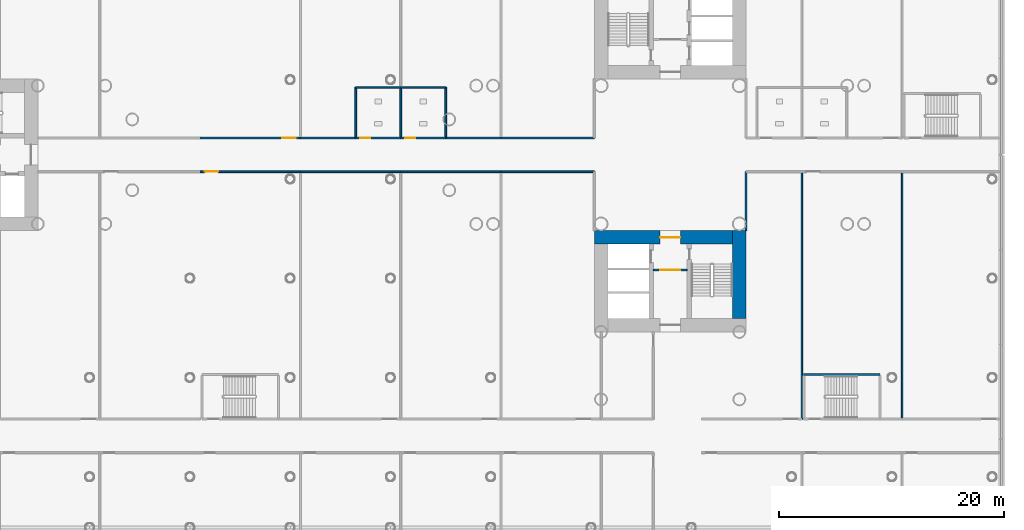
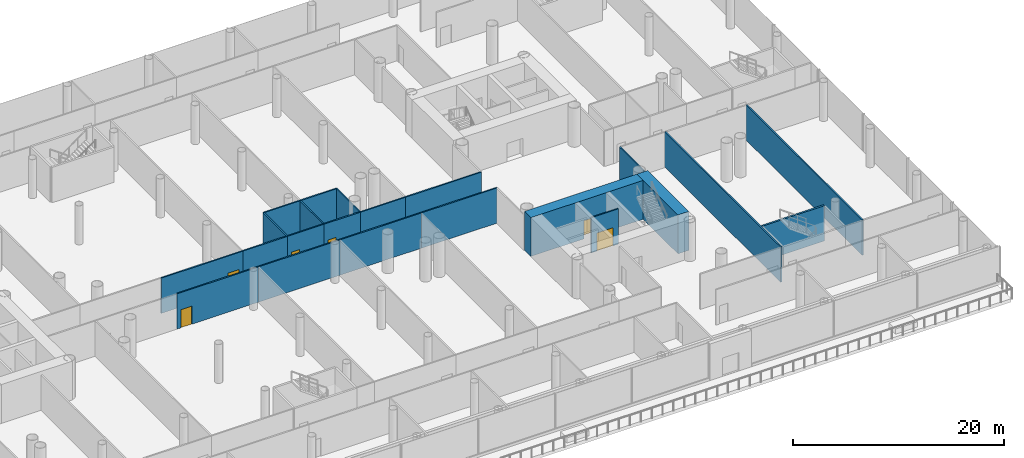
# One storey, part 21 of 51: 22 walls, 6 doors, 6 openings.
"""IFC4 building model written with IfcOpenShell, lengths in metres."""

from ifc_helpers import new_model, si_unit, direction, frame, frame_2d, origin, place, context, subcontext, project, spatial, rectangle, extrude, material, layer, layer_set, type_object, element, fill, save


model = new_model("IFC4")

# Units and contexts
model_context = context("Model", 3, precision=1e-05, world=origin(), true_north=direction((0.0, 1.0)))
body_context = subcontext(model_context, "Body", "Model", "MODEL_VIEW")
ifc_project = project(units=[si_unit("LENGTHUNIT", "METRE"), si_unit("AREAUNIT", "SQUARE_METRE"), si_unit("VOLUMEUNIT", "CUBIC_METRE"), si_unit("PLANEANGLEUNIT", "RADIAN"), si_unit("MASSUNIT", "GRAM", prefix="KILO")], contexts=[model_context])

# Site, building, storey
site_placement = place(None, origin())
site = spatial("IfcSite", under=ifc_project, at=site_placement, CompositionType="ELEMENT")
building_placement = place(site_placement, origin())
building = spatial("IfcBuilding", under=site, at=building_placement, Name="Ipe Terrace Towers", CompositionType="ELEMENT")
storey_placement = place(building_placement, frame((0.0, 0.0, 15.5)))
storey = spatial("IfcBuildingStorey", under=building, at=storey_placement, Name="L03", CompositionType="ELEMENT", Elevation=15.5)

# Wall, opening, door
ifc_material_1 = material(Name="Gypsum board partition", Category="plasterboard")
ifc_layer_1 = layer(ifc_material_1, 0.14990234375)
ifc_layer_set_1 = layer_set([ifc_layer_1], Name="Gypsum board partition 150 mm")
wall_type_1 = type_object("IfcWallType", Name="Gypsum board partition 150 mm", PredefinedType="PARTITIONING", material=ifc_layer_set_1)
wall_1_placement = place(storey_placement, frame((34.5, -10.25, 0.0), z_axis=(0.0, 0.0, 1.0), x_axis=(1.0, 0.0, 0.0)))
wall_1 = element("IfcWall", 1, at=wall_1_placement, inside=storey, type_object=wall_type_1, Name="Gypsum board partition T2 L03 t2c2-lobby-wall", PredefinedType="PARTITIONING", context=body_context, shape_type="SweptSolid", body=[
    extrude(rectangle(XDim=3.0, YDim=0.14990234375, at=frame_2d((1.5, 0.0))), origin(), (0.0, 0.0, 1.0), 4.080078125),
])
opening_1_placement = place(wall_1_placement, frame((0.60009765625, 0.0, 0.0)))
opening_1 = element("IfcOpeningElement", 2, at=opening_1_placement, cuts=wall_1, Name="Opening T2C2-VD", PredefinedType="OPENING", context=body_context, shape_type="SweptSolid", body=[
    extrude(rectangle(XDim=1.800048828125, YDim=2.10009765625, at=frame_2d((0.89990234375, 1.050048828125))), frame((0.0, 0.0849609375, 0.0), z_axis=(0.0, -1.0, 0.0), x_axis=(1.0, 0.0, 0.0)), (0.0, 0.0, 1.0), 0.169921875),
])
ifc_material_2 = material(Name="Fire-rated timber door leaf", Category="wood")
door_type_1 = type_object("IfcDoorType", Name="Lobby door 1800 x 2100 FD60", OperationType="NOTDEFINED", PredefinedType="DOOR", material=ifc_material_2)
door_1_placement = place(opening_1_placement, origin())
door_1 = element("IfcDoor", 3, at=door_1_placement, inside=storey, type_object=door_type_1, Name="Lobby door T2C2-VD", OperationType="SINGLE_SWING_LEFT", OverallHeight=2.10009765625, OverallWidth=1.800048828125, PredefinedType="DOOR", context=body_context, shape_type="SweptSolid", body=[
    extrude(rectangle(XDim=1.800048828125, YDim=2.10009765625, at=frame_2d((0.89990234375, 1.050048828125))), frame((0.0, 0.02490234375, 0.0), z_axis=(0.0, -1.0, 0.0), x_axis=(1.0, 0.0, 0.0)), (0.0, 0.0, 1.0), 0.050048828125),
])
fill(opening_1, door_1)

wall_2_placement = place(storey_placement, frame((-5.81005859375, -1.5, 0.0), z_axis=(0.0, 0.0, 1.0), x_axis=(1.0, 0.0, 0.0)))
wall_2 = element("IfcWall", 4, at=wall_2_placement, inside=storey, type_object=wall_type_1, Name="Gypsum board partition T2 L03 pd-r30-w4", PredefinedType="PARTITIONING", context=body_context, shape_type="SweptSolid", body=[
    extrude(rectangle(XDim=8.920166015625, YDim=0.14990234375, at=frame_2d((4.4599609375, 0.0))), origin(), (0.0, 0.0, 1.0), 4.080078125),
])
opening_2_placement = place(wall_2_placement, frame((0.39990234375, 0.0, 0.0)))
opening_2 = element("IfcOpeningElement", 5, at=opening_2_placement, cuts=wall_2, Name="Opening PD-L03-r30", PredefinedType="OPENING", context=body_context, shape_type="SweptSolid", body=[
    extrude(rectangle(XDim=1.199951171875, YDim=2.10009765625, at=frame_2d((0.60009765625, 1.050048828125))), frame((0.0, 0.0849609375, 0.0), z_axis=(0.0, -1.0, 0.0), x_axis=(1.0, 0.0, 0.0)), (0.0, 0.0, 1.0), 0.169921875),
])
ifc_material_3 = material(Name="Fire-rated timber door leaf", Category="wood")
door_type_2 = type_object("IfcDoorType", Name="Lounge door 1200 x 2100 FD30S", OperationType="NOTDEFINED", PredefinedType="DOOR", material=ifc_material_3)
door_2_placement = place(opening_2_placement, origin())
door_2 = element("IfcDoor", 6, at=door_2_placement, inside=storey, type_object=door_type_2, Name="Lounge door PD-L03-r30", OperationType="SINGLE_SWING_RIGHT", OverallHeight=2.10009765625, OverallWidth=1.199951171875, PredefinedType="DOOR", context=body_context, shape_type="SweptSolid", body=[
    extrude(rectangle(XDim=1.199951171875, YDim=2.10009765625, at=frame_2d((0.60009765625, 1.050048828125))), frame((0.0, 0.02490234375, 0.0), z_axis=(0.0, -1.0, 0.0), x_axis=(1.0, 0.0, 0.0)), (0.0, 0.0, 1.0), 0.050048828125),
])
fill(opening_2, door_2)

wall_3_placement = place(storey_placement, frame((3.110107421875, 1.5, 0.0), z_axis=(0.0, 0.0, 1.0), x_axis=(-1.0, 0.0, 0.0)))
wall_3 = element("IfcWall", 7, at=wall_3_placement, inside=storey, type_object=wall_type_1, Name="Gypsum board partition T2 L03 pd-r31-w8", PredefinedType="PARTITIONING", context=body_context, shape_type="SweptSolid", body=[
    extrude(rectangle(XDim=8.920166015625, YDim=0.14990234375, at=frame_2d((4.4599609375, 0.0))), origin(), (0.0, 0.0, 1.0), 4.080078125),
])
opening_3_placement = place(wall_3_placement, frame((0.39990234375, 0.0, 0.0)))
opening_3 = element("IfcOpeningElement", 8, at=opening_3_placement, cuts=wall_3, Name="Opening PD-L03-r31", PredefinedType="OPENING", context=body_context, shape_type="SweptSolid", body=[
    extrude(rectangle(XDim=1.199951171875, YDim=2.10009765625, at=frame_2d((0.60009765625, 1.050048828125))), frame((0.0, 0.0849609375, 0.0), z_axis=(0.0, -1.0, 0.0), x_axis=(1.0, 0.0, 0.0)), (0.0, 0.0, 1.0), 0.169921875),
])
door_3_placement = place(opening_3_placement, origin())
door_3 = element("IfcDoor", 9, at=door_3_placement, inside=storey, type_object=door_type_2, Name="Lounge door PD-L03-r31", OperationType="SINGLE_SWING_RIGHT", OverallHeight=2.10009765625, OverallWidth=1.199951171875, PredefinedType="DOOR", context=body_context, shape_type="SweptSolid", body=[
    extrude(rectangle(XDim=1.199951171875, YDim=2.10009765625, at=frame_2d((0.60009765625, 1.050048828125))), frame((0.0, 0.02490234375, 0.0), z_axis=(0.0, -1.0, 0.0), x_axis=(1.0, 0.0, 0.0)), (0.0, 0.0, 1.0), 0.050048828125),
])
fill(opening_3, door_3)

# Walls
wall_4_placement = place(storey_placement, frame((8.030029296875, 1.5, 0.0), z_axis=(0.0, 0.0, 1.0), x_axis=(-1.0, 0.0, 0.0)))
element("IfcWall", 10, at=wall_4_placement, inside=storey, type_object=wall_type_1, Name="Gypsum board partition T2 L03 pd-r32-w10", PredefinedType="PARTITIONING", context=body_context, shape_type="SweptSolid", body=[
    extrude(rectangle(XDim=4.919921875, YDim=0.14990234375, at=frame_2d((2.4599609375, 0.0))), origin(), (0.0, 0.0, 1.0), 4.080078125),
])
for number, where, z_axis, x_axis, name in (
    (11, (3.110107421875, -1.5, 0.0), (0.0, 0.0, 1.0), (1.0, 0.0, 0.0), "Gypsum board partition T2 L03 pd-r34-w16"),
    (12, (12.030029296875, -1.5, 0.0), (0.0, 0.0, 1.0), (1.0, 0.0, 0.0), "Gypsum board partition T2 L03 pd-r37-w23"),
):
    element("IfcWall", number, at=place(storey_placement, frame(where, z_axis=z_axis, x_axis=x_axis)), inside=storey, type_object=wall_type_1, Name=name, PredefinedType="PARTITIONING", context=body_context, shape_type="SweptSolid", body=[
        extrude(rectangle(XDim=8.919921875, YDim=0.14990234375, at=frame_2d((4.4599609375, 0.0))), origin(), (0.0, 0.0, 1.0), 4.080078125),
    ])
wall_5_placement = place(storey_placement, frame((20.949951171875, 1.5, 0.0), z_axis=(0.0, 0.0, 1.0), x_axis=(-1.0, 0.0, 0.0)))
element("IfcWall", 13, at=wall_5_placement, inside=storey, type_object=wall_type_1, Name="Gypsum board partition T2 L03 pd-r39-w28", PredefinedType="PARTITIONING", context=body_context, shape_type="SweptSolid", body=[
    extrude(rectangle(XDim=4.919921875, YDim=0.14990234375, at=frame_2d((2.4599609375, 0.0))), origin(), (0.0, 0.0, 1.0), 4.080078125),
])
for number, where, z_axis, x_axis, name in (
    (14, (20.949951171875, -1.5, 0.0), (0.0, 0.0, 1.0), (1.0, 0.0, 0.0), "Gypsum board partition T2 L03 pd-r40-w32"),
    (15, (29.25, 1.5, 0.0), (0.0, 0.0, 1.0), (-1.0, 0.0, 0.0), "Gypsum board partition T2 L03 pd-r41-w36"),
):
    element("IfcWall", number, at=place(storey_placement, frame(where, z_axis=z_axis, x_axis=x_axis)), inside=storey, type_object=wall_type_1, Name=name, PredefinedType="PARTITIONING", context=body_context, shape_type="SweptSolid", body=[
        extrude(rectangle(XDim=8.300048828125, YDim=0.14990234375, at=frame_2d((4.14990234375, 0.0))), origin(), (0.0, 0.0, 1.0), 4.080078125),
    ])
wall_6_placement = place(storey_placement, frame((42.75, -6.75, 0.0), z_axis=(0.0, 0.0, 1.0), x_axis=(0.0, 1.0, 0.0)))
element("IfcWall", 16, at=wall_6_placement, inside=storey, type_object=wall_type_1, Name="Gypsum board partition T2 L03 pd-r50-w55", PredefinedType="PARTITIONING", context=body_context, shape_type="SweptSolid", body=[
    extrude(rectangle(XDim=5.25, YDim=0.14990234375, at=frame_2d((2.625, 0.0))), origin(), (0.0, 0.0, 1.0), 4.080078125),
])
for number, where, z_axis, x_axis, name in (
    (17, (47.7099609375, -1.5, 0.0), (0.0, 0.0, 1.0), (0.0, -1.0, 0.0), "Gypsum board partition T2 L03 pd-r50-r53-w58"),
    (18, (56.6298828125, -1.5, 0.0), (0.0, 0.0, 1.0), (0.0, -1.0, 0.0), "Gypsum board partition T2 L03 pd-r53-r56-w65"),
):
    element("IfcWall", number, at=place(storey_placement, frame(where, z_axis=z_axis, x_axis=x_axis)), inside=storey, type_object=wall_type_1, Name=name, PredefinedType="PARTITIONING", context=body_context, shape_type="SweptSolid", body=[
        extrude(rectangle(XDim=22.0, YDim=0.14990234375, at=frame_2d((11.0, 0.0))), origin(), (0.0, 0.0, 1.0), 4.080078125),
    ])

# Wall, opening, door
wall_7_placement = place(storey_placement, frame((8.030029296875, 1.5, 0.0), z_axis=(0.0, 0.0, 1.0), x_axis=(1.0, 0.0, 0.0)))
wall_7 = element("IfcWall", 19, at=wall_7_placement, inside=storey, type_object=wall_type_1, Name="Gypsum board partition T2 L03 pd-c1-w75", PredefinedType="PARTITIONING", context=body_context, shape_type="SweptSolid", body=[
    extrude(rectangle(XDim=4.0, YDim=0.14990234375, at=frame_2d((2.0, 0.0))), origin(), (0.0, 0.0, 1.0), 4.080078125),
])
opening_4_placement = place(wall_7_placement, frame((0.39990234375, 0.0, 0.0)))
opening_4 = element("IfcOpeningElement", 20, at=opening_4_placement, cuts=wall_7, Name="Opening PD-L03-c1", PredefinedType="OPENING", context=body_context, shape_type="SweptSolid", body=[
    extrude(rectangle(XDim=0.89990234375, YDim=2.10009765625, at=frame_2d((0.449951171875, 1.050048828125))), frame((0.0, 0.0849609375, 0.0), z_axis=(0.0, -1.0, 0.0), x_axis=(1.0, 0.0, 0.0)), (0.0, 0.0, 1.0), 0.169921875),
])
ifc_material_4 = material(Name="Fire-rated timber door leaf", Category="wood")
door_type_3 = type_object("IfcDoorType", Name="Lounge door 900 x 2100 FD30S", OperationType="NOTDEFINED", PredefinedType="DOOR", material=ifc_material_4)
door_4_placement = place(opening_4_placement, origin())
door_4 = element("IfcDoor", 21, at=door_4_placement, inside=storey, type_object=door_type_3, Name="Lounge door PD-L03-c1", OperationType="SINGLE_SWING_LEFT", OverallHeight=2.10009765625, OverallWidth=0.89990234375, PredefinedType="DOOR", context=body_context, shape_type="SweptSolid", body=[
    extrude(rectangle(XDim=0.89990234375, YDim=2.10009765625, at=frame_2d((0.449951171875, 1.050048828125))), frame((0.0, 0.02490234375, 0.0), z_axis=(0.0, -1.0, 0.0), x_axis=(1.0, 0.0, 0.0)), (0.0, 0.0, 1.0), 0.050048828125),
])
fill(opening_4, door_4)

# Walls
wall_8_placement = place(storey_placement, frame((12.030029296875, 6.0, 0.0), z_axis=(0.0, 0.0, 1.0), x_axis=(-1.0, 0.0, 0.0)))
element("IfcWall", 22, at=wall_8_placement, inside=storey, type_object=wall_type_1, Name="Gypsum board partition T2 L03 pd-c1-r32-w76", PredefinedType="PARTITIONING", context=body_context, shape_type="SweptSolid", body=[
    extrude(rectangle(XDim=4.0, YDim=0.14990234375, at=frame_2d((2.0, 0.0))), origin(), (0.0, 0.0, 1.0), 4.080078125),
])
for number, where, z_axis, x_axis, name in (
    (23, (8.030029296875, 6.0, 0.0), (0.0, 0.0, 1.0), (0.0, -1.0, 0.0), "Gypsum board partition T2 L03 pd-c1-r32-w77"),
    (24, (12.030029296875, 1.5, 0.0), (0.0, 0.0, 1.0), (0.0, 1.0, 0.0), "Gypsum board partition T2 L03 pd-c1-c2-w78"),
):
    element("IfcWall", number, at=place(storey_placement, frame(where, z_axis=z_axis, x_axis=x_axis)), inside=storey, type_object=wall_type_1, Name=name, PredefinedType="PARTITIONING", context=body_context, shape_type="SweptSolid", body=[
        extrude(rectangle(XDim=4.5, YDim=0.14990234375, at=frame_2d((2.25, 0.0))), origin(), (0.0, 0.0, 1.0), 4.080078125),
    ])

# Wall, opening, door
wall_9_placement = place(storey_placement, frame((12.030029296875, 1.5, 0.0), z_axis=(0.0, 0.0, 1.0), x_axis=(1.0, 0.0, 0.0)))
wall_9 = element("IfcWall", 25, at=wall_9_placement, inside=storey, type_object=wall_type_1, Name="Gypsum board partition T2 L03 pd-c2-w79", PredefinedType="PARTITIONING", context=body_context, shape_type="SweptSolid", body=[
    extrude(rectangle(XDim=4.0, YDim=0.14990234375, at=frame_2d((2.0, 0.0))), origin(), (0.0, 0.0, 1.0), 4.080078125),
])
opening_5_placement = place(wall_9_placement, frame((0.39990234375, 0.0, 0.0)))
opening_5 = element("IfcOpeningElement", 26, at=opening_5_placement, cuts=wall_9, Name="Opening PD-L03-c2", PredefinedType="OPENING", context=body_context, shape_type="SweptSolid", body=[
    extrude(rectangle(XDim=0.89990234375, YDim=2.10009765625, at=frame_2d((0.449951171875, 1.050048828125))), frame((0.0, 0.0849609375, 0.0), z_axis=(0.0, -1.0, 0.0), x_axis=(1.0, 0.0, 0.0)), (0.0, 0.0, 1.0), 0.169921875),
])
door_5_placement = place(opening_5_placement, origin())
door_5 = element("IfcDoor", 27, at=door_5_placement, inside=storey, type_object=door_type_3, Name="Lounge door PD-L03-c2", OperationType="SINGLE_SWING_LEFT", OverallHeight=2.10009765625, OverallWidth=0.89990234375, PredefinedType="DOOR", context=body_context, shape_type="SweptSolid", body=[
    extrude(rectangle(XDim=0.89990234375, YDim=2.10009765625, at=frame_2d((0.449951171875, 1.050048828125))), frame((0.0, 0.02490234375, 0.0), z_axis=(0.0, -1.0, 0.0), x_axis=(1.0, 0.0, 0.0)), (0.0, 0.0, 1.0), 0.050048828125),
])
fill(opening_5, door_5)

# Walls
wall_10_placement = place(storey_placement, frame((16.030029296875, 1.5, 0.0), z_axis=(0.0, 0.0, 1.0), x_axis=(0.0, 1.0, 0.0)))
element("IfcWall", 28, at=wall_10_placement, inside=storey, type_object=wall_type_1, Name="Gypsum board partition T2 L03 pd-c2-r39-w80", PredefinedType="PARTITIONING", context=body_context, shape_type="SweptSolid", body=[
    extrude(rectangle(XDim=4.5, YDim=0.14990234375, at=frame_2d((2.25, 0.0))), origin(), (0.0, 0.0, 1.0), 4.080078125),
])
wall_11_placement = place(storey_placement, frame((16.030029296875, 6.0, 0.0), z_axis=(0.0, 0.0, 1.0), x_axis=(-1.0, 0.0, 0.0)))
element("IfcWall", 29, at=wall_11_placement, inside=storey, type_object=wall_type_1, Name="Gypsum board partition T2 L03 pd-c2-r39-w81", PredefinedType="PARTITIONING", context=body_context, shape_type="SweptSolid", body=[
    extrude(rectangle(XDim=4.0, YDim=0.14990234375, at=frame_2d((2.0, 0.0))), origin(), (0.0, 0.0, 1.0), 4.080078125),
])
ifc_material_5 = material(Name="Concrete C60/75", Category="concrete")
ifc_layer_2 = layer(ifc_material_5, 1.199951171875)
ifc_layer_set_2 = layer_set([ifc_layer_2], Name="RW1200 CORE WALL 1200 C60-75")
wall_type_2 = type_object("IfcWallType", Name="RW1200 CORE WALL 1200 C60-75", PredefinedType="SHEAR", material=ifc_layer_set_2)
wall_12_placement = place(storey_placement, frame((42.14990234375, -14.550048828125, 0.0), z_axis=(0.0, 0.0, 1.0), x_axis=(0.0, 1.0, 0.0)))
element("IfcWall", 30, at=wall_12_placement, inside=storey, type_object=wall_type_2, Name="Core wall T2-C2-P-W02", PredefinedType="SHEAR", context=body_context, shape_type="SweptSolid", body=[
    extrude(rectangle(XDim=7.800048828125, YDim=1.199951171875, at=frame_2d((3.89990234375, 0.0))), origin(), (0.0, 0.0, 1.0), 4.5),
])

# Wall, opening, door
wall_13_placement = place(storey_placement, frame((41.550048828125, -7.35009765625, 0.0), z_axis=(0.0, 0.0, 1.0), x_axis=(-1.0, 0.0, 0.0)))
wall_13 = element("IfcWall", 31, at=wall_13_placement, inside=storey, type_object=wall_type_2, Name="Core wall T2-C2-P-W03", PredefinedType="SHEAR", context=body_context, shape_type="SweptSolid", body=[
    extrude(rectangle(XDim=12.300048828125, YDim=1.199951171875, at=frame_2d((6.14990234375, 0.0))), origin(), (0.0, 0.0, 1.0), 4.5),
])
opening_6_placement = place(wall_13_placement, frame((4.64990234375, 0.0, 0.0)))
opening_6 = element("IfcOpeningElement", 32, at=opening_6_placement, cuts=wall_13, Name="Opening T2C2-ND", PredefinedType="OPENING", context=body_context, shape_type="SweptSolid", body=[
    extrude(rectangle(XDim=1.800048828125, YDim=2.10009765625, at=frame_2d((0.89990234375, 1.050048828125))), frame((0.0, 0.60986328125, 0.0), z_axis=(0.0, -1.0, 0.0), x_axis=(1.0, 0.0, 0.0)), (0.0, 0.0, 1.0), 1.219970703125),
])
ifc_material_6 = material(Name="Fire-rated timber door leaf", Category="wood")
door_type_4 = type_object("IfcDoorType", Name="Fire door 1800 x 2100 FD30S", OperationType="NOTDEFINED", PredefinedType="DOOR", material=ifc_material_6)
door_6_placement = place(opening_6_placement, origin())
door_6 = element("IfcDoor", 33, at=door_6_placement, inside=storey, type_object=door_type_4, Name="Fire door T2C2-ND", OperationType="SINGLE_SWING_LEFT", OverallHeight=2.10009765625, OverallWidth=1.800048828125, PredefinedType="DOOR", context=body_context, shape_type="SweptSolid", body=[
    extrude(rectangle(XDim=1.800048828125, YDim=2.10009765625, at=frame_2d((0.89990234375, 1.050048828125))), frame((0.0, 0.02490234375, 0.0), z_axis=(0.0, -1.0, 0.0), x_axis=(1.0, 0.0, 0.0)), (0.0, 0.0, 1.0), 0.050048828125),
])
fill(opening_6, door_6)

# Wall
ifc_material_7 = material(Name="Concrete C40/50", Category="concrete")
ifc_layer_3 = layer(ifc_material_7, 0.199951171875)
ifc_layer_set_3 = layer_set([ifc_layer_3], Name="RW200 PODIUM STAIR SHAFT WALL 200 C40-50")
wall_type_3 = type_object("IfcWallType", Name="RW200 PODIUM STAIR SHAFT WALL 200 C40-50", PredefinedType="SHEAR", material=ifc_layer_set_3)
wall_14_placement = place(storey_placement, frame((47.8701171875, -19.550048828125, 0.0), z_axis=(0.0, 0.0, 1.0), x_axis=(1.0, 0.0, 0.0)))
element("IfcWall", 34, at=wall_14_placement, inside=storey, type_object=wall_type_3, Name="Stair shaft wall T2 L03 ps6-f", PredefinedType="SHEAR", context=body_context, shape_type="SweptSolid", body=[
    extrude(rectangle(XDim=6.7998046875, YDim=0.199951171875, at=frame_2d((3.39990234375, 0.0))), origin(), (0.0, 0.0, 1.0), 4.080078125),
])

save(model, "model.ifc")
